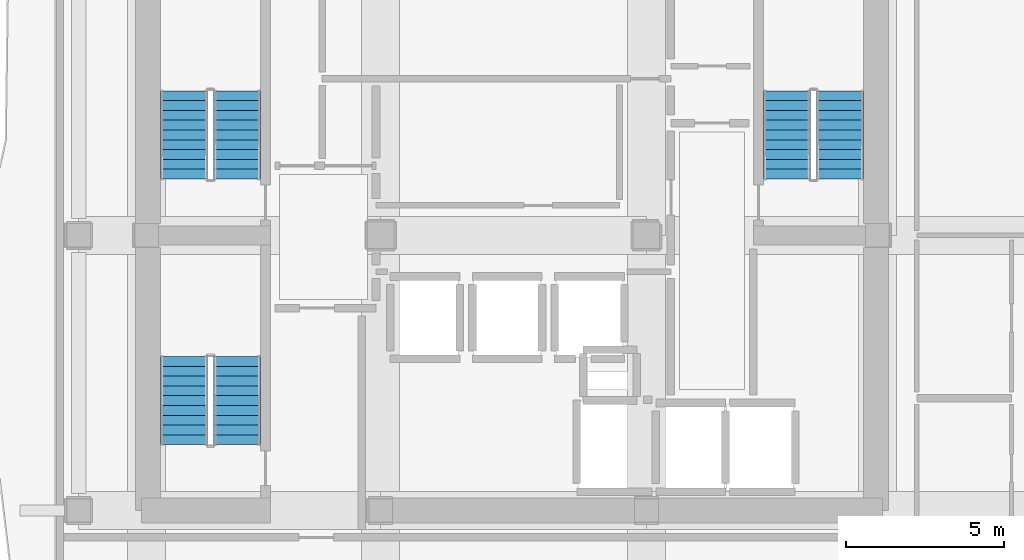
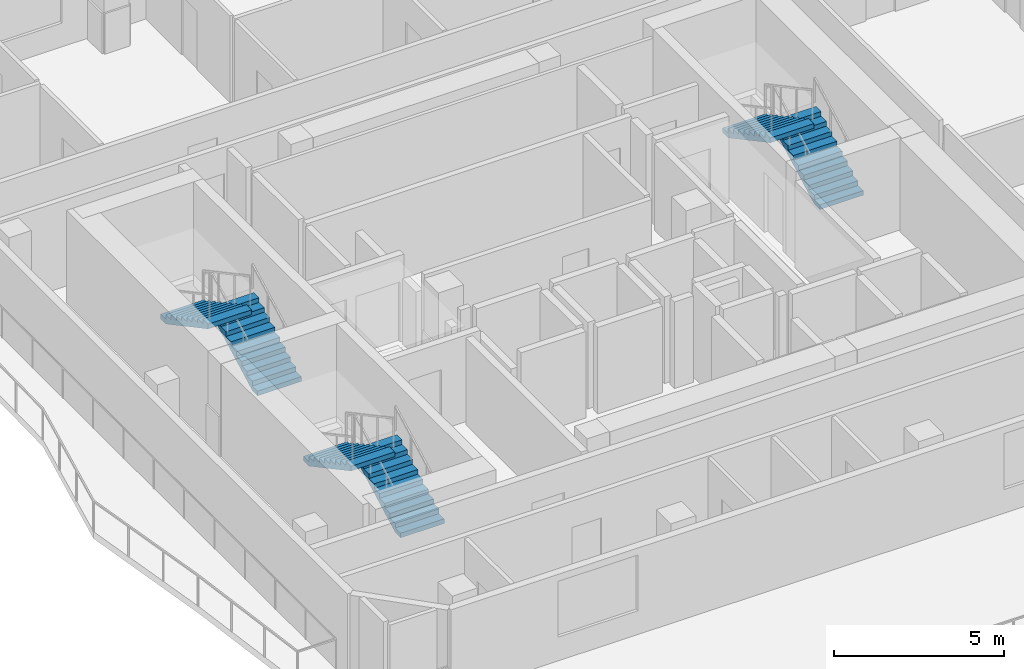
# One storey, part 6 of 9: 6 stair flights, 3 elements without a shape of their own.
"""IFC4 building model written with IfcOpenShell, lengths in metres."""

from ifc_helpers import new_model, si_unit, direction, frame, origin, place, context, subcontext, project, spatial, polyline, outline, extrude, material, type_object, element, aggregate, save


model = new_model("IFC4")

# Units and contexts
model_context = context("Model", 3, precision=1e-05, world=origin(), true_north=direction((0.0, 1.0)))
body_context = subcontext(model_context, "Body", "Model", "MODEL_VIEW")
ifc_project = project(units=[si_unit("LENGTHUNIT", "METRE"), si_unit("AREAUNIT", "SQUARE_METRE"), si_unit("VOLUMEUNIT", "CUBIC_METRE"), si_unit("PLANEANGLEUNIT", "RADIAN"), si_unit("MASSUNIT", "GRAM", prefix="KILO")], contexts=[model_context])

# Site, building, storey
site_placement = place(None, origin())
site = spatial("IfcSite", under=ifc_project, at=site_placement, CompositionType="ELEMENT")
building_placement = place(site_placement, origin())
building = spatial("IfcBuilding", under=site, at=building_placement, Name="Solanera Arch Residences", CompositionType="ELEMENT")
storey_placement = place(building_placement, frame((0.0, 0.0, 231.280029296875)))
storey = spatial("IfcBuildingStorey", under=building, at=storey_placement, Name="L67", CompositionType="ELEMENT", Elevation=231.280029296875)

# Stair, stair flights
ifc_material_1 = material(Name="Concrete C40/50 (f'c = 45 MPa)", Category="concrete")
stair_type = type_object("IfcStairType", Name="Tower Dogleg Exit Stair 1480", PredefinedType="HALF_TURN_STAIR", material=ifc_material_1)
stair_1_placement = place(storey_placement, origin())
stair_1 = element("IfcStair", 1, at=stair_1_placement, inside=storey, type_object=stair_type, Name="L67 Tower Core Exit Stair 1", PredefinedType="HALF_TURN_STAIR")
ifc_material_2 = material(Name="Concrete C40/50 (f'c = 45 MPa)", Category="concrete")
stair_flight_type = type_object("IfcStairFlightType", Name="Tower Precast Stair Flight 1480", PredefinedType="STRAIGHT", material=ifc_material_2)
stair_flight_1_placement = place(storey_placement, frame((16.260009765625, 32.47998046875, 0.0), z_axis=(0.0, 0.0, 1.0), x_axis=(0.0, 1.0, 0.0)))
stair_flight_1 = element("IfcStairFlight", 2, at=stair_flight_1_placement, type_object=stair_flight_type, Name="ST-T1 flight 1", NumberOfRisers=10, NumberOfTreads=9, PredefinedType="STRAIGHT", RiserHeight=0.166, TreadLength=0.31, context=body_context, shape_type="SweptSolid", body=[
    extrude(outline(polyline([(0.0, 0.0), (0.0, 0.166015625), (0.31005859375, 0.166015625), (0.31005859375, 0.33203125), (0.6201171875, 0.33203125), (0.6201171875, 0.498046875), (0.929931640625, 0.498046875), (0.929931640625, 0.6640625), (1.239990234375, 0.6640625), (1.239990234375, 0.830078125), (1.550048828125, 0.830078125), (1.550048828125, 0.99609375), (1.860107421875, 0.99609375), (1.860107421875, 1.162109375), (2.169921875, 1.162109375), (2.169921875, 1.327880859375), (2.47998046875, 1.327880859375), (2.47998046875, 1.493896484375), (2.7900390625, 1.493896484375), (2.7900390625, 1.659912109375), (2.7900390625, 1.323974609375), (0.317626953125, 0.0), (0.0, 0.0)])), frame((0.0, 0.739990234375, 0.0), z_axis=(0.0, -1.0, 0.0), x_axis=(1.0, 0.0, 0.0)), (0.0, 0.0, 1.0), 1.47998046875),
])
stair_flight_2_placement = place(storey_placement, frame((14.580078125, 35.27001953125, 1.659912109375), z_axis=(0.0, 0.0, 1.0), x_axis=(0.0, -1.0, 0.0)))
stair_flight_2 = element("IfcStairFlight", 3, at=stair_flight_2_placement, type_object=stair_flight_type, Name="ST-T1 flight 2", NumberOfRisers=10, NumberOfTreads=9, PredefinedType="STRAIGHT", RiserHeight=0.166, TreadLength=0.31, context=body_context, shape_type="SweptSolid", body=[
    extrude(outline(polyline([(0.0, 0.0), (0.0, 0.166015625), (0.31005859375, 0.166015625), (0.31005859375, 0.33203125), (0.6201171875, 0.33203125), (0.6201171875, 0.498046875), (0.929931640625, 0.498046875), (0.929931640625, 0.6640625), (1.239990234375, 0.6640625), (1.239990234375, 0.830078125), (1.550048828125, 0.830078125), (1.550048828125, 0.99609375), (1.860107421875, 0.99609375), (1.860107421875, 1.162109375), (2.169921875, 1.162109375), (2.169921875, 1.327880859375), (2.47998046875, 1.327880859375), (2.47998046875, 1.493896484375), (2.7900390625, 1.493896484375), (2.7900390625, 1.659912109375), (2.7900390625, 1.323974609375), (0.317626953125, 0.0), (0.0, 0.0)])), frame((0.0, 0.739990234375, 0.0), z_axis=(0.0, -1.0, 0.0), x_axis=(1.0, 0.0, 0.0)), (0.0, 0.0, 1.0), 1.47998046875),
])
aggregate(stair_1, [stair_flight_1, stair_flight_2])

stair_2_placement = place(storey_placement, origin())
stair_2 = element("IfcStair", 4, at=stair_2_placement, inside=storey, type_object=stair_type, Name="L67 Tower Core Exit Stair 2", PredefinedType="HALF_TURN_STAIR")
stair_flight_3_placement = place(storey_placement, frame((35.320068359375, 32.47998046875, 0.0), z_axis=(0.0, 0.0, 1.0), x_axis=(0.0, 1.0, 0.0)))
stair_flight_3 = element("IfcStairFlight", 5, at=stair_flight_3_placement, type_object=stair_flight_type, Name="ST-T2 flight 1", NumberOfRisers=10, NumberOfTreads=9, PredefinedType="STRAIGHT", RiserHeight=0.166, TreadLength=0.31, context=body_context, shape_type="SweptSolid", body=[
    extrude(outline(polyline([(0.0, 0.0), (0.0, 0.166015625), (0.31005859375, 0.166015625), (0.31005859375, 0.33203125), (0.6201171875, 0.33203125), (0.6201171875, 0.498046875), (0.929931640625, 0.498046875), (0.929931640625, 0.6640625), (1.239990234375, 0.6640625), (1.239990234375, 0.830078125), (1.550048828125, 0.830078125), (1.550048828125, 0.99609375), (1.860107421875, 0.99609375), (1.860107421875, 1.162109375), (2.169921875, 1.162109375), (2.169921875, 1.327880859375), (2.47998046875, 1.327880859375), (2.47998046875, 1.493896484375), (2.7900390625, 1.493896484375), (2.7900390625, 1.659912109375), (2.7900390625, 1.323974609375), (0.317626953125, 0.0), (0.0, 0.0)])), frame((0.0, 0.739990234375, 0.0), z_axis=(0.0, -1.0, 0.0), x_axis=(1.0, 0.0, 0.0)), (0.0, 0.0, 1.0), 1.47998046875),
])
stair_flight_4_placement = place(storey_placement, frame((33.639892578125, 35.27001953125, 1.659912109375), z_axis=(0.0, 0.0, 1.0), x_axis=(0.0, -1.0, 0.0)))
stair_flight_4 = element("IfcStairFlight", 6, at=stair_flight_4_placement, type_object=stair_flight_type, Name="ST-T2 flight 2", NumberOfRisers=10, NumberOfTreads=9, PredefinedType="STRAIGHT", RiserHeight=0.166, TreadLength=0.31, context=body_context, shape_type="SweptSolid", body=[
    extrude(outline(polyline([(0.0, 0.0), (0.0, 0.166015625), (0.31005859375, 0.166015625), (0.31005859375, 0.33203125), (0.6201171875, 0.33203125), (0.6201171875, 0.498046875), (0.929931640625, 0.498046875), (0.929931640625, 0.6640625), (1.239990234375, 0.6640625), (1.239990234375, 0.830078125), (1.550048828125, 0.830078125), (1.550048828125, 0.99609375), (1.860107421875, 0.99609375), (1.860107421875, 1.162109375), (2.169921875, 1.162109375), (2.169921875, 1.327880859375), (2.47998046875, 1.327880859375), (2.47998046875, 1.493896484375), (2.7900390625, 1.493896484375), (2.7900390625, 1.659912109375), (2.7900390625, 1.323974609375), (0.317626953125, 0.0), (0.0, 0.0)])), frame((0.0, 0.739990234375, 0.0), z_axis=(0.0, -1.0, 0.0), x_axis=(1.0, 0.0, 0.0)), (0.0, 0.0, 1.0), 1.47998046875),
])
aggregate(stair_2, [stair_flight_3, stair_flight_4])

stair_3_placement = place(storey_placement, origin())
stair_3 = element("IfcStair", 7, at=stair_3_placement, inside=storey, type_object=stair_type, Name="L67 Tower Core Exit Stair 3", PredefinedType="HALF_TURN_STAIR")
stair_flight_5_placement = place(storey_placement, frame((16.260009765625, 24.080078125, 0.0), z_axis=(0.0, 0.0, 1.0), x_axis=(0.0, 1.0, 0.0)))
stair_flight_5 = element("IfcStairFlight", 8, at=stair_flight_5_placement, type_object=stair_flight_type, Name="ST-T3 flight 1", NumberOfRisers=10, NumberOfTreads=9, PredefinedType="STRAIGHT", RiserHeight=0.166, TreadLength=0.31, context=body_context, shape_type="SweptSolid", body=[
    extrude(outline(polyline([(0.0, 0.0), (0.0, 0.166015625), (0.31005859375, 0.166015625), (0.31005859375, 0.33203125), (0.6201171875, 0.33203125), (0.6201171875, 0.498046875), (0.929931640625, 0.498046875), (0.929931640625, 0.6640625), (1.239990234375, 0.6640625), (1.239990234375, 0.830078125), (1.550048828125, 0.830078125), (1.550048828125, 0.99609375), (1.860107421875, 0.99609375), (1.860107421875, 1.162109375), (2.169921875, 1.162109375), (2.169921875, 1.327880859375), (2.47998046875, 1.327880859375), (2.47998046875, 1.493896484375), (2.7900390625, 1.493896484375), (2.7900390625, 1.659912109375), (2.7900390625, 1.323974609375), (0.317626953125, 0.0), (0.0, 0.0)])), frame((0.0, 0.739990234375, 0.0), z_axis=(0.0, -1.0, 0.0), x_axis=(1.0, 0.0, 0.0)), (0.0, 0.0, 1.0), 1.47998046875),
])
stair_flight_6_placement = place(storey_placement, frame((14.580078125, 26.8701171875, 1.659912109375), z_axis=(0.0, 0.0, 1.0), x_axis=(0.0, -1.0, 0.0)))
stair_flight_6 = element("IfcStairFlight", 9, at=stair_flight_6_placement, type_object=stair_flight_type, Name="ST-T3 flight 2", NumberOfRisers=10, NumberOfTreads=9, PredefinedType="STRAIGHT", RiserHeight=0.166, TreadLength=0.31, context=body_context, shape_type="SweptSolid", body=[
    extrude(outline(polyline([(0.0, 0.0), (0.0, 0.166015625), (0.31005859375, 0.166015625), (0.31005859375, 0.33203125), (0.6201171875, 0.33203125), (0.6201171875, 0.498046875), (0.929931640625, 0.498046875), (0.929931640625, 0.6640625), (1.239990234375, 0.6640625), (1.239990234375, 0.830078125), (1.550048828125, 0.830078125), (1.550048828125, 0.99609375), (1.860107421875, 0.99609375), (1.860107421875, 1.162109375), (2.169921875, 1.162109375), (2.169921875, 1.327880859375), (2.47998046875, 1.327880859375), (2.47998046875, 1.493896484375), (2.7900390625, 1.493896484375), (2.7900390625, 1.659912109375), (2.7900390625, 1.323974609375), (0.317626953125, 0.0), (0.0, 0.0)])), frame((0.0, 0.739990234375, 0.0), z_axis=(0.0, -1.0, 0.0), x_axis=(1.0, 0.0, 0.0)), (0.0, 0.0, 1.0), 1.47998046875),
])
aggregate(stair_3, [stair_flight_5, stair_flight_6])

save(model, "model.ifc")
